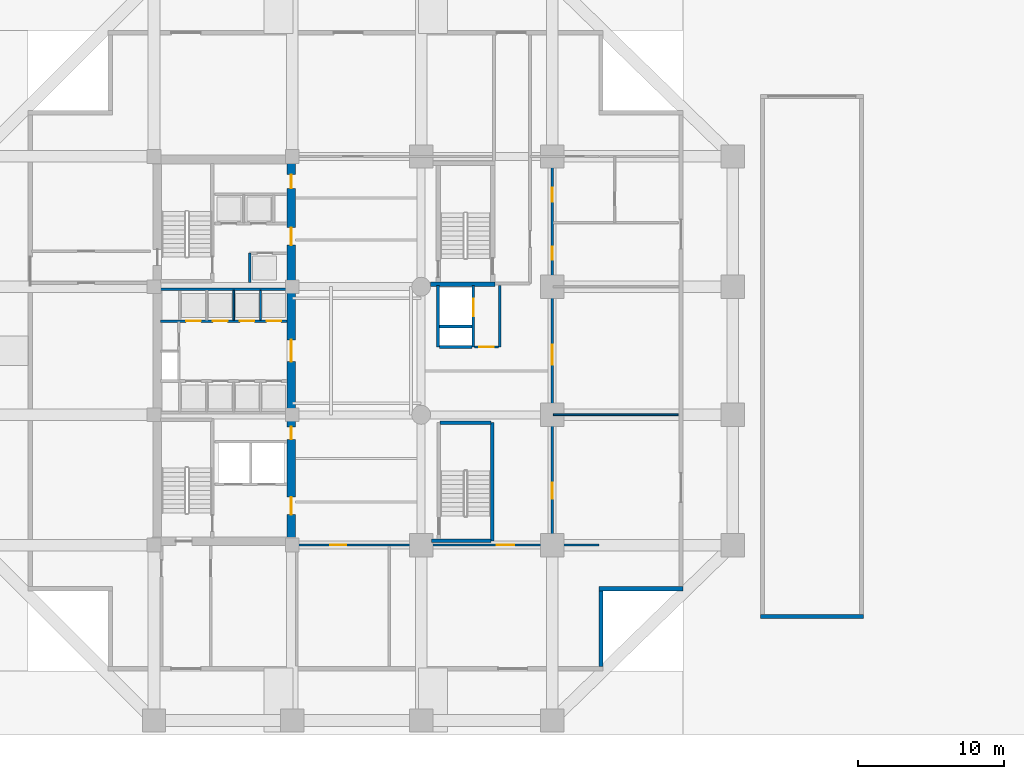
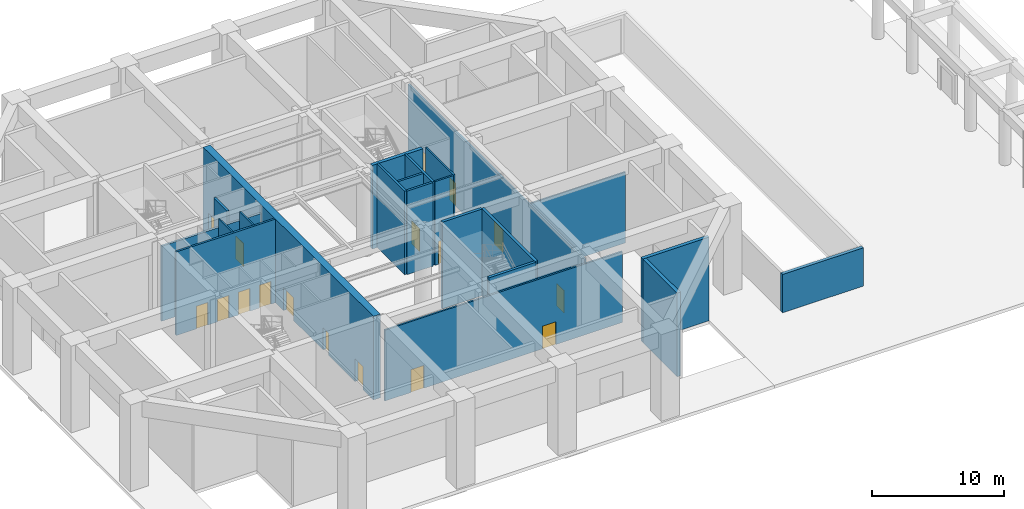
# One storey, part 4 of 10: 22 walls, 17 doors, 17 openings.
"""IFC4 building model written with IfcOpenShell, lengths in metres."""

from ifc_helpers import new_model, si_unit, direction, frame, frame_2d, origin, place, context, subcontext, project, spatial, rectangle, extrude, material, layer, layer_set, type_object, element, fill, save


model = new_model("IFC4")

# Units and contexts
model_context = context("Model", 3, precision=1e-05, world=origin(), true_north=direction((0.0, 1.0)))
body_context = subcontext(model_context, "Body", "Model", "MODEL_VIEW")
ifc_project = project(units=[si_unit("LENGTHUNIT", "METRE"), si_unit("AREAUNIT", "SQUARE_METRE"), si_unit("VOLUMEUNIT", "CUBIC_METRE"), si_unit("PLANEANGLEUNIT", "RADIAN"), si_unit("MASSUNIT", "GRAM", prefix="KILO")], contexts=[model_context])

# Site, building, storey
site_placement = place(None, origin())
site = spatial("IfcSite", under=ifc_project, at=site_placement, CompositionType="ELEMENT")
building_placement = place(site_placement, origin())
building = spatial("IfcBuilding", under=site, at=building_placement, Name="Kundavana Baori Tower", CompositionType="ELEMENT")
storey_placement = place(building_placement, origin())
storey = spatial("IfcBuildingStorey", under=building, at=storey_placement, Name="L00", CompositionType="ELEMENT", Elevation=0.0)

# Walls
ifc_material_1 = material(Name="Concrete C50/60", Category="concrete")
ifc_layer_1 = layer(ifc_material_1, 0.39990234375, Name="WL-CORE-400")
ifc_layer_set_1 = layer_set([ifc_layer_1], Name="Concrete C50/60")
wall_type_1 = type_object("IfcWallType", Name="WL-CORE-400", PredefinedType="SHEAR", material=ifc_layer_set_1)
wall_1_placement = place(storey_placement, frame((57.1201171875, 10.360107421875, 0.0), z_axis=(0.0, 0.0, 1.0), x_axis=(1.0, 0.0, 0.0)))
element("IfcWall", 1, at=wall_1_placement, inside=storey, type_object=wall_type_1, Name="L00 Car Park Ramp Headhouse South Wall", PredefinedType="SHEAR", context=body_context, shape_type="SweptSolid", body=[
    extrude(rectangle(XDim=7.059814453125, YDim=0.280029296875, at=frame_2d((3.52978515625, 0.0))), origin(), (0.0, 0.0, 1.0), 3.5400390625),
])
wall_2_placement = place(storey_placement, frame((38.68994140625, 15.5400390625, 0.0), z_axis=(0.0, 0.0, 1.0), x_axis=(0.0, 1.0, 0.0)))
element("IfcWall", 2, at=wall_2_placement, inside=storey, type_object=wall_type_1, Name="WL-L00-ST4-E", PredefinedType="SHEAR", context=body_context, shape_type="SweptSolid", body=[
    extrude(rectangle(XDim=8.119873046875, YDim=0.239990234375, at=frame_2d((4.06005859375, 0.0))), origin(), (0.0, 0.0, 1.0), 8.0),
])
wall_3_placement = place(storey_placement, frame((34.5, 15.5400390625, 0.0), z_axis=(0.0, 0.0, 1.0), x_axis=(1.0, 0.0, 0.0)))
element("IfcWall", 3, at=wall_3_placement, inside=storey, type_object=wall_type_1, Name="WL-L00-ST4-S", PredefinedType="SHEAR", context=body_context, shape_type="SweptSolid", body=[
    extrude(rectangle(XDim=4.10009765625, YDim=0.239990234375, at=frame_2d((2.050048828125, 0.0))), origin(), (0.0, 0.0, 1.0), 8.0),
])
wall_4_placement = place(storey_placement, frame((35.10009765625, 23.659912109375, 0.0), z_axis=(0.0, 0.0, 1.0), x_axis=(1.0, 0.0, 0.0)))
element("IfcWall", 4, at=wall_4_placement, inside=storey, type_object=wall_type_1, Name="WL-L00-ST4-N", PredefinedType="SHEAR", context=body_context, shape_type="SweptSolid", body=[
    extrude(rectangle(XDim=3.5, YDim=0.239990234375, at=frame_2d((1.75, 0.0))), origin(), (0.0, 0.0, 1.0), 8.0),
])

# Wall, openings, doors
ifc_material_2 = material(Name="Concrete C60/75", Category="concrete")
ifc_layer_2 = layer(ifc_material_2, 0.60009765625, Name="WL-CORE-600")
ifc_layer_set_2 = layer_set([ifc_layer_2], Name="Concrete C60/75")
wall_type_2 = type_object("IfcWallType", Name="WL-CORE-600", PredefinedType="SHEAR", material=ifc_layer_set_2)
wall_5_placement = place(storey_placement, frame((24.8798828125, 15.739990234375, 0.0), z_axis=(0.0, 0.0, 1.0), x_axis=(0.0, 1.0, 0.0)))
wall_5 = element("IfcWall", 5, at=wall_5_placement, inside=storey, type_object=wall_type_2, Name="L00 Offset Core East Shear Wall", PredefinedType="SHEAR", context=body_context, shape_type="SweptSolid", body=[
    extrude(rectangle(XDim=25.760009765625, YDim=0.60009765625, at=frame_2d((12.8798828125, 0.0))), origin(), (0.0, 0.0, 1.0), 7.719970703125),
])
opening_1_placement = place(wall_5_placement, frame((1.610107421875, 0.0, 0.0)))
opening_1 = element("IfcOpeningElement", 6, at=opening_1_placement, cuts=wall_5, Name="Opening FD-120", PredefinedType="OPENING", context=body_context, shape_type="SweptSolid", body=[
    extrude(rectangle(XDim=1.199951171875, YDim=2.10009765625, at=frame_2d((0.60009765625, 1.050048828125))), frame((0.0, 0.31005859375, 0.0), z_axis=(0.0, -1.0, 0.0), x_axis=(1.0, 0.0, 0.0)), (0.0, 0.0, 1.0), 0.6201171875),
])
opening_2_placement = place(wall_5_placement, frame((6.780029296875, 0.0, 0.0)))
opening_2 = element("IfcOpeningElement", 7, at=opening_2_placement, cuts=wall_5, Name="Opening FD-085", PredefinedType="OPENING", context=body_context, shape_type="SweptSolid", body=[
    extrude(rectangle(XDim=0.85009765625, YDim=2.06005859375, at=frame_2d((0.425048828125, 1.030029296875))), frame((0.0, 0.31005859375, 0.0), z_axis=(0.0, -1.0, 0.0), x_axis=(1.0, 0.0, 0.0)), (0.0, 0.0, 1.0), 0.6201171875),
])
opening_3_placement = place(wall_5_placement, frame((12.110107421875, 0.0, 0.0)))
opening_3 = element("IfcOpeningElement", 8, at=opening_3_placement, cuts=wall_5, Name="Opening FD-150", PredefinedType="OPENING", context=body_context, shape_type="SweptSolid", body=[
    extrude(rectangle(XDim=1.5, YDim=2.1201171875, at=frame_2d((0.75, 1.06005859375))), frame((0.0, 0.31005859375, 0.0), z_axis=(0.0, -1.0, 0.0), x_axis=(1.0, 0.0, 0.0)), (0.0, 0.0, 1.0), 0.6201171875),
])
opening_4_placement = place(wall_5_placement, frame((20.110107421875, 0.0, 0.0)))
opening_4 = element("IfcOpeningElement", 9, at=opening_4_placement, cuts=wall_5, Name="Opening FD-122", PredefinedType="OPENING", context=body_context, shape_type="SweptSolid", body=[
    extrude(rectangle(XDim=1.199951171875, YDim=2.1201171875, at=frame_2d((0.60009765625, 1.06005859375))), frame((0.0, 0.31005859375, 0.0), z_axis=(0.0, -1.0, 0.0), x_axis=(1.0, 0.0, 0.0)), (0.0, 0.0, 1.0), 0.6201171875),
])
opening_5_placement = place(wall_5_placement, frame((24.010009765625, 0.0, 0.0)))
opening_5 = element("IfcOpeningElement", 10, at=opening_5_placement, cuts=wall_5, Name="Opening FD-095", PredefinedType="OPENING", context=body_context, shape_type="SweptSolid", body=[
    extrude(rectangle(XDim=0.949951171875, YDim=2.10009765625, at=frame_2d((0.47509765625, 1.050048828125))), frame((0.0, 0.31005859375, 0.0), z_axis=(0.0, -1.0, 0.0), x_axis=(1.0, 0.0, 0.0)), (0.0, 0.0, 1.0), 0.6201171875),
])
ifc_material_3 = material(Name="Galvanised Steel Fire-Rated Door Leaf", Category="steel")
door_type_1 = type_object("IfcDoorType", Name="DR-FD120-1200", OperationType="NOTDEFINED", PredefinedType="DOOR", material=ifc_material_3)
door_1_placement = place(opening_1_placement, frame((1.199951171875, 0.0, 0.0), z_axis=(0.0, 0.0, 1.0), x_axis=(-1.0, 0.0, 0.0)))
door_1 = element("IfcDoor", 11, at=door_1_placement, inside=storey, type_object=door_type_1, Name="DR-L00-FFLOB-E", OperationType="SINGLE_SWING_RIGHT", OverallHeight=2.10009765625, OverallWidth=1.199951171875, PredefinedType="DOOR", context=body_context, shape_type="SweptSolid", body=[
    extrude(rectangle(XDim=1.199951171875, YDim=2.10009765625, at=frame_2d((0.60009765625, 1.050048828125))), frame((0.0, 0.02490234375, 0.0), z_axis=(0.0, -1.0, 0.0), x_axis=(1.0, 0.0, 0.0)), (0.0, 0.0, 1.0), 0.050048828125),
])
fill(opening_1, door_1)
ifc_material_4 = material(Name="Galvanised Steel Fire-Rated Door Leaf", Category="steel")
door_type_2 = type_object("IfcDoorType", Name="DR-FD60-1200", OperationType="NOTDEFINED", PredefinedType="DOOR", material=ifc_material_4)
door_2_placement = place(opening_4_placement, frame((1.199951171875, 0.0, 0.0), z_axis=(0.0, 0.0, 1.0), x_axis=(-1.0, 0.0, 0.0)))
door_2 = element("IfcDoor", 12, at=door_2_placement, inside=storey, type_object=door_type_2, Name="DR-L00-HRLOB-E", OperationType="SINGLE_SWING_RIGHT", OverallHeight=2.1201171875, OverallWidth=1.199951171875, PredefinedType="DOOR", context=body_context, shape_type="SweptSolid", body=[
    extrude(rectangle(XDim=1.199951171875, YDim=2.1201171875, at=frame_2d((0.60009765625, 1.06005859375))), frame((0.0, 0.02490234375, 0.0), z_axis=(0.0, -1.0, 0.0), x_axis=(1.0, 0.0, 0.0)), (0.0, 0.0, 1.0), 0.050048828125),
])
fill(opening_4, door_2)
ifc_material_5 = material(Name="Galvanised Steel Fire-Rated Door Leaf", Category="steel")
door_type_3 = type_object("IfcDoorType", Name="DR-FD60-1500", OperationType="NOTDEFINED", PredefinedType="DOOR", material=ifc_material_5)
door_3_placement = place(opening_3_placement, frame((1.5, 0.0, 0.0), z_axis=(0.0, 0.0, 1.0), x_axis=(-1.0, 0.0, 0.0)))
door_3 = element("IfcDoor", 13, at=door_3_placement, inside=storey, type_object=door_type_3, Name="DR-L00-LIFTHALL-E", OperationType="SINGLE_SWING_LEFT", OverallHeight=2.1201171875, OverallWidth=1.5, PredefinedType="DOOR", context=body_context, shape_type="SweptSolid", body=[
    extrude(rectangle(XDim=1.5, YDim=2.1201171875, at=frame_2d((0.75, 1.06005859375))), frame((0.0, 0.02490234375, 0.0), z_axis=(0.0, -1.0, 0.0), x_axis=(1.0, 0.0, 0.0)), (0.0, 0.0, 1.0), 0.050048828125),
])
fill(opening_3, door_3)
ifc_material_6 = material(Name="Galvanised Steel Fire-Rated Door Leaf", Category="steel")
door_type_4 = type_object("IfcDoorType", Name="DR-FD60-850", OperationType="NOTDEFINED", PredefinedType="DOOR", material=ifc_material_6)
door_4_placement = place(opening_2_placement, frame((0.85009765625, 0.0, 0.0), z_axis=(0.0, 0.0, 1.0), x_axis=(-1.0, 0.0, 0.0)))
door_4 = element("IfcDoor", 14, at=door_4_placement, inside=storey, type_object=door_type_4, Name="DR-L00-CSMK1", OperationType="SINGLE_SWING_LEFT", OverallHeight=2.06005859375, OverallWidth=0.85009765625, PredefinedType="DOOR", context=body_context, shape_type="SweptSolid", body=[
    extrude(rectangle(XDim=0.85009765625, YDim=2.06005859375, at=frame_2d((0.425048828125, 1.030029296875))), frame((0.0, 0.02490234375, 0.0), z_axis=(0.0, -1.0, 0.0), x_axis=(1.0, 0.0, 0.0)), (0.0, 0.0, 1.0), 0.050048828125),
])
fill(opening_2, door_4)
ifc_material_7 = material(Name="Engineered Teak Fire-Rated Timber Door Leaf", Category="wood")
door_type_5 = type_object("IfcDoorType", Name="DR-FD60-950", OperationType="NOTDEFINED", PredefinedType="DOOR", material=ifc_material_7)
door_5_placement = place(opening_5_placement, frame((0.949951171875, 0.0, 0.0), z_axis=(0.0, 0.0, 1.0), x_axis=(-1.0, 0.0, 0.0)))
door_5 = element("IfcDoor", 15, at=door_5_placement, inside=storey, type_object=door_type_5, Name="DR-L00-CSRV1", OperationType="SINGLE_SWING_LEFT", OverallHeight=2.10009765625, OverallWidth=0.949951171875, PredefinedType="DOOR", context=body_context, shape_type="SweptSolid", body=[
    extrude(rectangle(XDim=0.949951171875, YDim=2.10009765625, at=frame_2d((0.47509765625, 1.050048828125))), frame((0.0, 0.02490234375, 0.0), z_axis=(0.0, -1.0, 0.0), x_axis=(1.0, 0.0, 0.0)), (0.0, 0.0, 1.0), 0.050048828125),
])
fill(opening_5, door_5)

# Walls
ifc_material_8 = material(Name="Red-Buff Dholpur Sandstone Cladding on Concrete C40/50", Category="masonry")
ifc_layer_3 = layer(ifc_material_8, 0.300048828125, Name="WL-EXT-SAND-300")
ifc_layer_set_3 = layer_set([ifc_layer_3], Name="Red-Buff Dholpur Sandstone Cladding on Concrete C40/50")
wall_type_3 = type_object("IfcWallType", Name="WL-EXT-SAND-300", PredefinedType="STANDARD", material=ifc_layer_set_3)
wall_6_placement = place(storey_placement, frame((46.14990234375, 6.89990234375, 0.0), z_axis=(0.0, 0.0, 1.0), x_axis=(0.0, 1.0, 0.0)))
element("IfcWall", 16, at=wall_6_placement, inside=storey, type_object=wall_type_3, Name="L00 Exterior Insulated Facade Wall 02", PredefinedType="STANDARD", context=body_context, shape_type="SweptSolid", body=[
    extrude(rectangle(XDim=5.2001953125, YDim=0.300048828125, at=frame_2d((2.60009765625, 0.0))), origin(), (0.0, 0.0, 1.0), 7.719970703125),
])
wall_7_placement = place(storey_placement, frame((46.0, 12.25, 0.0), z_axis=(0.0, 0.0, 1.0), x_axis=(1.0, 0.0, 0.0)))
element("IfcWall", 17, at=wall_7_placement, inside=storey, type_object=wall_type_3, Name="L00 Exterior Insulated Facade Wall 03", PredefinedType="STANDARD", context=body_context, shape_type="SweptSolid", body=[
    extrude(rectangle(XDim=5.800048828125, YDim=0.300048828125, at=frame_2d((2.89990234375, 0.0))), origin(), (0.0, 0.0, 1.0), 7.719970703125),
])
ifc_material_9 = material(Name="Acoustic Gypsum Plasterboard on Galvanised Steel Studs", Category="steel")
ifc_layer_4 = layer(ifc_material_9, 0.1201171875, Name="WL-PART-120")
ifc_layer_set_4 = layer_set([ifc_layer_4], Name="Acoustic Gypsum Plasterboard on Galvanised Steel Studs")
wall_type_4 = type_object("IfcWallType", Name="WL-PART-120", PredefinedType="PARTITIONING", material=ifc_layer_set_4)
for number, where, z_axis, x_axis, name in (
    (18, (20.919921875, 30.699951171875, 0.0), (0.0, 0.0, 1.0), (0.0, 1.0, 0.0), "WL-L00-LPMID-D2"),
    (19, (22.760009765625, 30.699951171875, 0.0), (0.0, 0.0, 1.0), (0.0, 1.0, 0.0), "WL-L00-LPMID-D3"),
):
    element("IfcWall", number, at=place(storey_placement, frame(where, z_axis=z_axis, x_axis=x_axis)), inside=storey, type_object=wall_type_4, Name=name, PredefinedType="PARTITIONING", context=body_context, shape_type="SweptSolid", body=[
        extrude(rectangle(XDim=2.050048828125, YDim=0.1201171875, at=frame_2d((1.02490234375, 0.0))), origin(), (0.0, 0.0, 1.0), 7.719970703125),
    ])
wall_8_placement = place(storey_placement, frame((42.8798828125, 24.199951171875, 0.0), z_axis=(0.0, 0.0, 1.0), x_axis=(1.0, 0.0, 0.0)))
element("IfcWall", 20, at=wall_8_placement, inside=storey, type_object=wall_type_4, Name="WL-L00-EDIV1", PredefinedType="PARTITIONING", context=body_context, shape_type="SweptSolid", body=[
    extrude(rectangle(XDim=8.570068359375, YDim=0.1201171875, at=frame_2d((4.28515625, 0.0))), origin(), (0.0, 0.0, 1.0), 6.550048828125),
])
ifc_material_10 = material(Name="Fire-Rated Gypsum Drywall on Galvanised Steel Studs", Category="steel")
ifc_layer_5 = layer(ifc_material_10, 0.14990234375, Name="WL-PART-150")
ifc_layer_set_5 = layer_set([ifc_layer_5], Name="Fire-Rated Gypsum Drywall on Galvanised Steel Studs")
wall_type_5 = type_object("IfcWallType", Name="WL-PART-150", PredefinedType="PARTITIONING", material=ifc_layer_set_5)
wall_9_placement = place(storey_placement, frame((39.199951171875, 28.860107421875, 0.0), z_axis=(0.0, 0.0, 1.0), x_axis=(0.0, 1.0, 0.0)))
element("IfcWall", 21, at=wall_9_placement, inside=storey, type_object=wall_type_5, Name="WL-L00-SVLOB-E", PredefinedType="PARTITIONING", context=body_context, shape_type="SweptSolid", body=[
    extrude(rectangle(XDim=4.219970703125, YDim=0.14990234375, at=frame_2d((2.10986328125, 0.0))), origin(), (0.0, 0.0, 1.0), 7.719970703125),
])

# Wall, opening, door
wall_10_placement = place(storey_placement, frame((37.47998046875, 28.860107421875, 0.0), z_axis=(0.0, 0.0, 1.0), x_axis=(1.0, 0.0, 0.0)))
wall_10 = element("IfcWall", 22, at=wall_10_placement, inside=storey, type_object=wall_type_5, Name="WL-L00-SVLOB-S", PredefinedType="PARTITIONING", context=body_context, shape_type="SweptSolid", body=[
    extrude(rectangle(XDim=1.64013671875, YDim=0.14990234375, at=frame_2d((0.820068359375, 0.0))), origin(), (0.0, 0.0, 1.0), 7.719970703125),
])
opening_6_placement = place(wall_10_placement, frame((0.300048828125, 0.0, 0.0)))
opening_6 = element("IfcOpeningElement", 23, at=opening_6_placement, cuts=wall_10, Name="Opening FD-100", PredefinedType="OPENING", context=body_context, shape_type="SweptSolid", body=[
    extrude(rectangle(XDim=1.0, YDim=2.10009765625, at=frame_2d((0.5, 1.050048828125))), frame((0.0, 0.0849609375, 0.0), z_axis=(0.0, -1.0, 0.0), x_axis=(1.0, 0.0, 0.0)), (0.0, 0.0, 1.0), 0.169921875),
])
ifc_material_11 = material(Name="Engineered Teak Fire-Rated Timber Door Leaf", Category="wood")
door_type_6 = type_object("IfcDoorType", Name="DR-FD60-1000", OperationType="NOTDEFINED", PredefinedType="DOOR", material=ifc_material_11)
door_6_placement = place(opening_6_placement, origin())
door_6 = element("IfcDoor", 24, at=door_6_placement, inside=storey, type_object=door_type_6, Name="DR-L00-SVLOB-OUT", OperationType="SINGLE_SWING_LEFT", OverallHeight=2.10009765625, OverallWidth=1.0, PredefinedType="DOOR", context=body_context, shape_type="SweptSolid", body=[
    extrude(rectangle(XDim=1.0, YDim=2.10009765625, at=frame_2d((0.5, 1.050048828125))), frame((0.0, 0.02490234375, 0.0), z_axis=(0.0, -1.0, 0.0), x_axis=(1.0, 0.0, 0.0)), (0.0, 0.0, 1.0), 0.050048828125),
])
fill(opening_6, door_6)

# Wall, openings, doors
wall_11_placement = place(storey_placement, frame((25.25, 15.25, 0.0), z_axis=(0.0, 0.0, 1.0), x_axis=(1.0, 0.0, 0.0)))
wall_11 = element("IfcWall", 25, at=wall_11_placement, inside=storey, type_object=wall_type_5, Name="WL-L00-SLINE", PredefinedType="PARTITIONING", context=body_context, shape_type="SweptSolid", body=[
    extrude(rectangle(XDim=20.75, YDim=0.14990234375, at=frame_2d((10.375, 0.0))), origin(), (0.0, 0.0, 1.0), 6.550048828125),
])
opening_7_placement = place(wall_11_placement, frame((2.300048828125, 0.0, 0.0)))
opening_7 = element("IfcOpeningElement", 26, at=opening_7_placement, cuts=wall_11, Name="Opening FD-110", PredefinedType="OPENING", context=body_context, shape_type="SweptSolid", body=[
    extrude(rectangle(XDim=1.10009765625, YDim=2.10009765625, at=frame_2d((0.550048828125, 1.050048828125))), frame((0.0, 0.0849609375, 0.0), z_axis=(0.0, -1.0, 0.0), x_axis=(1.0, 0.0, 0.0)), (0.0, 0.0, 1.0), 0.169921875),
])
opening_8_placement = place(wall_11_placement, frame((13.75, 0.0, 0.0)))
opening_8 = element("IfcOpeningElement", 27, at=opening_8_placement, cuts=wall_11, Name="Opening ID-120", PredefinedType="OPENING", context=body_context, shape_type="SweptSolid", body=[
    extrude(rectangle(XDim=1.199951171875, YDim=2.10009765625, at=frame_2d((0.60009765625, 1.050048828125))), frame((0.0, 0.0849609375, 0.0), z_axis=(0.0, -1.0, 0.0), x_axis=(1.0, 0.0, 0.0)), (0.0, 0.0, 1.0), 0.169921875),
])
ifc_material_12 = material(Name="Galvanised Steel Fire-Rated Door Leaf", Category="steel")
door_type_7 = type_object("IfcDoorType", Name="DR-FD120-1100", OperationType="NOTDEFINED", PredefinedType="DOOR", material=ifc_material_12)
door_7_placement = place(opening_7_placement, frame((1.10009765625, 0.0, 0.0), z_axis=(0.0, 0.0, 1.0), x_axis=(-1.0, 0.0, 0.0)))
door_7 = element("IfcDoor", 28, at=door_7_placement, inside=storey, type_object=door_type_7, Name="DR-L00-FCC", OperationType="SINGLE_SWING_LEFT", OverallHeight=2.10009765625, OverallWidth=1.10009765625, PredefinedType="DOOR", context=body_context, shape_type="SweptSolid", body=[
    extrude(rectangle(XDim=1.10009765625, YDim=2.10009765625, at=frame_2d((0.550048828125, 1.050048828125))), frame((0.0, 0.02490234375, 0.0), z_axis=(0.0, -1.0, 0.0), x_axis=(1.0, 0.0, 0.0)), (0.0, 0.0, 1.0), 0.050048828125),
])
fill(opening_7, door_7)
ifc_material_13 = material(Name="Engineered Teak Solid-Core Timber Veneer", Category="wood")
door_type_8 = type_object("IfcDoorType", Name="DR-INT-1200", OperationType="NOTDEFINED", PredefinedType="DOOR", material=ifc_material_13)
door_8_placement = place(opening_8_placement, frame((1.199951171875, 0.0, 0.0), z_axis=(0.0, 0.0, 1.0), x_axis=(-1.0, 0.0, 0.0)))
door_8 = element("IfcDoor", 29, at=door_8_placement, inside=storey, type_object=door_type_8, Name="DR-L00-RETS1", OperationType="SINGLE_SWING_RIGHT", OverallHeight=2.10009765625, OverallWidth=1.199951171875, PredefinedType="DOOR", context=body_context, shape_type="SweptSolid", body=[
    extrude(rectangle(XDim=1.199951171875, YDim=2.10009765625, at=frame_2d((0.60009765625, 1.050048828125))), frame((0.0, 0.02490234375, 0.0), z_axis=(0.0, -1.0, 0.0), x_axis=(1.0, 0.0, 0.0)), (0.0, 0.0, 1.0), 0.050048828125),
])
fill(opening_8, door_8)

wall_12_placement = place(storey_placement, frame((42.800048828125, 15.25, 0.0), z_axis=(0.0, 0.0, 1.0), x_axis=(0.0, 1.0, 0.0)))
wall_12 = element("IfcWall", 30, at=wall_12_placement, inside=storey, type_object=wall_type_5, Name="WL-L00-ECORR", PredefinedType="PARTITIONING", context=body_context, shape_type="SweptSolid", body=[
    extrude(rectangle(XDim=26.699951171875, YDim=0.14990234375, at=frame_2d((13.35009765625, 0.0))), origin(), (0.0, 0.0, 1.0), 6.919921875),
])
opening_9_placement = place(wall_12_placement, frame((3.199951171875, 0.0, 0.0)))
opening_9 = element("IfcOpeningElement", 31, at=opening_9_placement, cuts=wall_12, Name="Opening ID-110", PredefinedType="OPENING", context=body_context, shape_type="SweptSolid", body=[
    extrude(rectangle(XDim=1.10009765625, YDim=2.080078125, at=frame_2d((0.550048828125, 1.0400390625))), frame((0.0, 0.0849609375, 0.0), z_axis=(0.0, -1.0, 0.0), x_axis=(1.0, 0.0, 0.0)), (0.0, 0.0, 1.0), 0.169921875),
])
opening_10_placement = place(wall_12_placement, frame((12.39990234375, 0.0, 0.0)))
opening_10 = element("IfcOpeningElement", 32, at=opening_10_placement, cuts=wall_12, Name="Opening ID-135", PredefinedType="OPENING", context=body_context, shape_type="SweptSolid", body=[
    extrude(rectangle(XDim=1.35009765625, YDim=2.10009765625, at=frame_2d((0.675048828125, 1.050048828125))), frame((0.0, 0.0849609375, 0.0), z_axis=(0.0, -1.0, 0.0), x_axis=(1.0, 0.0, 0.0)), (0.0, 0.0, 1.0), 0.169921875),
])
opening_11_placement = place(wall_12_placement, frame((19.60009765625, 0.0, 0.0)))
opening_11 = element("IfcOpeningElement", 33, at=opening_11_placement, cuts=wall_12, Name="Opening WD-090", PredefinedType="OPENING", context=body_context, shape_type="SweptSolid", body=[
    extrude(rectangle(XDim=0.89990234375, YDim=2.050048828125, at=frame_2d((0.449951171875, 1.02490234375))), frame((0.0, 0.0849609375, 0.0), z_axis=(0.0, -1.0, 0.0), x_axis=(1.0, 0.0, 0.0)), (0.0, 0.0, 1.0), 0.169921875),
])
opening_12_placement = place(wall_12_placement, frame((23.60009765625, 0.0, 0.0)))
opening_12 = element("IfcOpeningElement", 34, at=opening_12_placement, cuts=wall_12, Name="Opening WD-095", PredefinedType="OPENING", context=body_context, shape_type="SweptSolid", body=[
    extrude(rectangle(XDim=0.949951171875, YDim=2.050048828125, at=frame_2d((0.47509765625, 1.02490234375))), frame((0.0, 0.0849609375, 0.0), z_axis=(0.0, -1.0, 0.0), x_axis=(1.0, 0.0, 0.0)), (0.0, 0.0, 1.0), 0.169921875),
])
ifc_material_14 = material(Name="Engineered Teak Solid-Core Timber Veneer", Category="wood")
door_type_9 = type_object("IfcDoorType", Name="DR-INT-1100", OperationType="NOTDEFINED", PredefinedType="DOOR", material=ifc_material_14)
door_9_placement = place(opening_9_placement, origin())
door_9 = element("IfcDoor", 35, at=door_9_placement, inside=storey, type_object=door_type_9, Name="DR-L00-RETE1", OperationType="SINGLE_SWING_LEFT", OverallHeight=2.080078125, OverallWidth=1.10009765625, PredefinedType="DOOR", context=body_context, shape_type="SweptSolid", body=[
    extrude(rectangle(XDim=1.10009765625, YDim=2.080078125, at=frame_2d((0.550048828125, 1.0400390625))), frame((0.0, 0.02490234375, 0.0), z_axis=(0.0, -1.0, 0.0), x_axis=(1.0, 0.0, 0.0)), (0.0, 0.0, 1.0), 0.050048828125),
])
fill(opening_9, door_9)
ifc_material_15 = material(Name="Engineered Teak Solid-Core Timber Veneer", Category="wood")
door_type_10 = type_object("IfcDoorType", Name="DR-INT-1350", OperationType="NOTDEFINED", PredefinedType="DOOR", material=ifc_material_15)
door_10_placement = place(opening_10_placement, origin())
door_10 = element("IfcDoor", 36, at=door_10_placement, inside=storey, type_object=door_type_10, Name="DR-L00-RECEP", OperationType="SINGLE_SWING_RIGHT", OverallHeight=2.10009765625, OverallWidth=1.35009765625, PredefinedType="DOOR", context=body_context, shape_type="SweptSolid", body=[
    extrude(rectangle(XDim=1.35009765625, YDim=2.10009765625, at=frame_2d((0.675048828125, 1.050048828125))), frame((0.0, 0.02490234375, 0.0), z_axis=(0.0, -1.0, 0.0), x_axis=(1.0, 0.0, 0.0)), (0.0, 0.0, 1.0), 0.050048828125),
])
fill(opening_10, door_10)
ifc_material_16 = material(Name="Engineered Teak Solid-Core Timber Veneer", Category="wood")
door_type_11 = type_object("IfcDoorType", Name="DR-WET-900", OperationType="NOTDEFINED", PredefinedType="DOOR", material=ifc_material_16)
door_11_placement = place(opening_11_placement, origin())
door_11 = element("IfcDoor", 37, at=door_11_placement, inside=storey, type_object=door_type_11, Name="DR-L00-WCPUB", OperationType="SINGLE_SWING_LEFT", OverallHeight=2.050048828125, OverallWidth=0.89990234375, PredefinedType="DOOR", context=body_context, shape_type="SweptSolid", body=[
    extrude(rectangle(XDim=0.89990234375, YDim=2.050048828125, at=frame_2d((0.449951171875, 1.02490234375))), frame((0.0, 0.02490234375, 0.0), z_axis=(0.0, -1.0, 0.0), x_axis=(1.0, 0.0, 0.0)), (0.0, 0.0, 1.0), 0.050048828125),
])
fill(opening_11, door_11)
ifc_material_17 = material(Name="Engineered Teak Solid-Core Timber Veneer", Category="wood")
door_type_12 = type_object("IfcDoorType", Name="DR-WET-950", OperationType="NOTDEFINED", PredefinedType="DOOR", material=ifc_material_17)
door_12_placement = place(opening_12_placement, origin())
door_12 = element("IfcDoor", 38, at=door_12_placement, inside=storey, type_object=door_type_12, Name="DR-L00-WCACC", OperationType="SINGLE_SWING_RIGHT", OverallHeight=2.050048828125, OverallWidth=0.949951171875, PredefinedType="DOOR", context=body_context, shape_type="SweptSolid", body=[
    extrude(rectangle(XDim=0.949951171875, YDim=2.050048828125, at=frame_2d((0.47509765625, 1.02490234375))), frame((0.0, 0.02490234375, 0.0), z_axis=(0.0, -1.0, 0.0), x_axis=(1.0, 0.0, 0.0)), (0.0, 0.0, 1.0), 0.050048828125),
])
fill(opening_12, door_12)

ifc_material_18 = material(Name="Autoclaved Aerated Concrete Blockwork Masonry", Category="masonry")
ifc_layer_6 = layer(ifc_material_18, 0.179931640625, Name="WL-SHAFT-180")
ifc_layer_set_6 = layer_set([ifc_layer_6], Name="Autoclaved Aerated Concrete Blockwork Masonry")
wall_type_6 = type_object("IfcWallType", Name="WL-SHAFT-180", PredefinedType="SOLIDWALL", material=ifc_layer_set_6)
wall_13_placement = place(storey_placement, frame((15.89990234375, 30.639892578125, 0.0), z_axis=(0.0, 0.0, 1.0), x_axis=(1.0, 0.0, 0.0)))
wall_13 = element("IfcWall", 39, at=wall_13_placement, inside=storey, type_object=wall_type_6, Name="WL-L00-LPMID-S", PredefinedType="SOLIDWALL", context=body_context, shape_type="SweptSolid", body=[
    extrude(rectangle(XDim=8.68017578125, YDim=0.179931640625, at=frame_2d((4.340087890625, 0.0))), origin(), (0.0, 0.0, 1.0), 7.719970703125),
])
opening_13_placement = place(wall_13_placement, frame((1.760009765625, 0.0, 0.0)))
opening_13 = element("IfcOpeningElement", 40, at=opening_13_placement, cuts=wall_13, Name="Opening LD-100", PredefinedType="OPENING", context=body_context, shape_type="SweptSolid", body=[
    extrude(rectangle(XDim=1.0, YDim=2.10009765625, at=frame_2d((0.5, 1.050048828125))), frame((0.0, 0.10009765625, 0.0), z_axis=(0.0, -1.0, 0.0), x_axis=(1.0, 0.0, 0.0)), (0.0, 0.0, 1.0), 0.199951171875),
])
opening_14_placement = place(wall_13_placement, frame((3.60009765625, 0.0, 0.0)))
opening_14 = element("IfcOpeningElement", 41, at=opening_14_placement, cuts=wall_13, Name="Opening LD-100", PredefinedType="OPENING", context=body_context, shape_type="SweptSolid", body=[
    extrude(rectangle(XDim=1.0, YDim=2.10009765625, at=frame_2d((0.5, 1.050048828125))), frame((0.0, 0.10009765625, 0.0), z_axis=(0.0, -1.0, 0.0), x_axis=(1.0, 0.0, 0.0)), (0.0, 0.0, 1.0), 0.199951171875),
])
opening_15_placement = place(wall_13_placement, frame((5.43994140625, 0.0, 0.0)))
opening_15 = element("IfcOpeningElement", 42, at=opening_15_placement, cuts=wall_13, Name="Opening LD-100", PredefinedType="OPENING", context=body_context, shape_type="SweptSolid", body=[
    extrude(rectangle(XDim=1.0, YDim=2.10009765625, at=frame_2d((0.5, 1.050048828125))), frame((0.0, 0.10009765625, 0.0), z_axis=(0.0, -1.0, 0.0), x_axis=(1.0, 0.0, 0.0)), (0.0, 0.0, 1.0), 0.199951171875),
])
opening_16_placement = place(wall_13_placement, frame((7.280029296875, 0.0, 0.0)))
opening_16 = element("IfcOpeningElement", 43, at=opening_16_placement, cuts=wall_13, Name="Opening LD-100", PredefinedType="OPENING", context=body_context, shape_type="SweptSolid", body=[
    extrude(rectangle(XDim=1.0, YDim=2.10009765625, at=frame_2d((0.5, 1.050048828125))), frame((0.0, 0.10009765625, 0.0), z_axis=(0.0, -1.0, 0.0), x_axis=(1.0, 0.0, 0.0)), (0.0, 0.0, 1.0), 0.199951171875),
])
ifc_material_19 = material(Name="Galvanised Steel Fire-Rated Door Leaf", Category="steel")
door_type_13 = type_object("IfcDoorType", Name="DR-SLIDE-LD1000", OperationType="NOTDEFINED", PredefinedType="DOOR", material=ifc_material_19)
door_13_placement = place(opening_13_placement, frame((1.0, 0.0, 0.0), z_axis=(0.0, 0.0, 1.0), x_axis=(-1.0, 0.0, 0.0)))
door_13 = element("IfcDoor", 44, at=door_13_placement, inside=storey, type_object=door_type_13, Name="DR-L00-LD-LP-05", OperationType="DOUBLE_DOOR_SLIDING", OverallHeight=2.10009765625, OverallWidth=1.0, PredefinedType="DOOR", context=body_context, shape_type="SweptSolid", body=[
    extrude(rectangle(XDim=1.0, YDim=2.10009765625, at=frame_2d((0.5, 1.050048828125))), frame((0.0, 0.02490234375, 0.0), z_axis=(0.0, -1.0, 0.0), x_axis=(1.0, 0.0, 0.0)), (0.0, 0.0, 1.0), 0.050048828125),
])
fill(opening_13, door_13)
door_14_placement = place(opening_14_placement, frame((1.0, 0.0, 0.0), z_axis=(0.0, 0.0, 1.0), x_axis=(-1.0, 0.0, 0.0)))
door_14 = element("IfcDoor", 45, at=door_14_placement, inside=storey, type_object=door_type_13, Name="DR-L00-LD-LP-06", OperationType="DOUBLE_DOOR_SLIDING", OverallHeight=2.10009765625, OverallWidth=1.0, PredefinedType="DOOR", context=body_context, shape_type="SweptSolid", body=[
    extrude(rectangle(XDim=1.0, YDim=2.10009765625, at=frame_2d((0.5, 1.050048828125))), frame((0.0, 0.02490234375, 0.0), z_axis=(0.0, -1.0, 0.0), x_axis=(1.0, 0.0, 0.0)), (0.0, 0.0, 1.0), 0.050048828125),
])
fill(opening_14, door_14)
door_15_placement = place(opening_15_placement, frame((1.0, 0.0, 0.0), z_axis=(0.0, 0.0, 1.0), x_axis=(-1.0, 0.0, 0.0)))
door_15 = element("IfcDoor", 46, at=door_15_placement, inside=storey, type_object=door_type_13, Name="DR-L00-LD-LP-07", OperationType="DOUBLE_DOOR_SLIDING", OverallHeight=2.10009765625, OverallWidth=1.0, PredefinedType="DOOR", context=body_context, shape_type="SweptSolid", body=[
    extrude(rectangle(XDim=1.0, YDim=2.10009765625, at=frame_2d((0.5, 1.050048828125))), frame((0.0, 0.02490234375, 0.0), z_axis=(0.0, -1.0, 0.0), x_axis=(1.0, 0.0, 0.0)), (0.0, 0.0, 1.0), 0.050048828125),
])
fill(opening_15, door_15)
door_16_placement = place(opening_16_placement, frame((1.0, 0.0, 0.0), z_axis=(0.0, 0.0, 1.0), x_axis=(-1.0, 0.0, 0.0)))
door_16 = element("IfcDoor", 47, at=door_16_placement, inside=storey, type_object=door_type_13, Name="DR-L00-LD-LP-08", OperationType="DOUBLE_DOOR_SLIDING", OverallHeight=2.10009765625, OverallWidth=1.0, PredefinedType="DOOR", context=body_context, shape_type="SweptSolid", body=[
    extrude(rectangle(XDim=1.0, YDim=2.10009765625, at=frame_2d((0.5, 1.050048828125))), frame((0.0, 0.02490234375, 0.0), z_axis=(0.0, -1.0, 0.0), x_axis=(1.0, 0.0, 0.0)), (0.0, 0.0, 1.0), 0.050048828125),
])
fill(opening_16, door_16)

# Walls
wall_14_placement = place(storey_placement, frame((15.89990234375, 32.820068359375, 0.0), z_axis=(0.0, 0.0, 1.0), x_axis=(1.0, 0.0, 0.0)))
element("IfcWall", 48, at=wall_14_placement, inside=storey, type_object=wall_type_6, Name="WL-L00-LPMID-N", PredefinedType="SOLIDWALL", context=body_context, shape_type="SweptSolid", body=[
    extrude(rectangle(XDim=8.68017578125, YDim=0.179931640625, at=frame_2d((4.340087890625, 0.0))), origin(), (0.0, 0.0, 1.0), 6.919921875),
])
wall_15_placement = place(storey_placement, frame((22.02001953125, 33.300048828125, 0.0), z_axis=(0.0, 0.0, 1.0), x_axis=(0.0, 1.0, 0.0)))
element("IfcWall", 49, at=wall_15_placement, inside=storey, type_object=wall_type_6, Name="WL-L00-LP11-W", PredefinedType="SOLIDWALL", context=body_context, shape_type="SweptSolid", body=[
    extrude(rectangle(XDim=2.010009765625, YDim=0.179931640625, at=frame_2d((1.0048828125, 0.0))), origin(), (0.0, 0.0, 1.0), 7.719970703125),
])
wall_16_placement = place(storey_placement, frame((34.9599609375, 28.860107421875, 0.0), z_axis=(0.0, 0.0, 1.0), x_axis=(0.0, 1.0, 0.0)))
element("IfcWall", 50, at=wall_16_placement, inside=storey, type_object=wall_type_6, Name="WL-L00-SVL-W", PredefinedType="SOLIDWALL", context=body_context, shape_type="SweptSolid", body=[
    extrude(rectangle(XDim=4.219970703125, YDim=0.179931640625, at=frame_2d((2.10986328125, 0.0))), origin(), (0.0, 0.0, 1.0), 7.719970703125),
])

# Wall, opening, door
wall_17_placement = place(storey_placement, frame((37.389892578125, 28.860107421875, 0.0), z_axis=(0.0, 0.0, 1.0), x_axis=(0.0, 1.0, 0.0)))
wall_17 = element("IfcWall", 51, at=wall_17_placement, inside=storey, type_object=wall_type_6, Name="WL-L00-SVL-E", PredefinedType="SOLIDWALL", context=body_context, shape_type="SweptSolid", body=[
    extrude(rectangle(XDim=4.219970703125, YDim=0.179931640625, at=frame_2d((2.10986328125, 0.0))), origin(), (0.0, 0.0, 1.0), 7.719970703125),
])
opening_17_placement = place(wall_17_placement, frame((2.10009765625, 0.0, 0.0)))
opening_17 = element("IfcOpeningElement", 52, at=opening_17_placement, cuts=wall_17, Name="Opening LD-120", PredefinedType="OPENING", context=body_context, shape_type="SweptSolid", body=[
    extrude(rectangle(XDim=1.199951171875, YDim=2.1201171875, at=frame_2d((0.60009765625, 1.06005859375))), frame((0.0, 0.10009765625, 0.0), z_axis=(0.0, -1.0, 0.0), x_axis=(1.0, 0.0, 0.0)), (0.0, 0.0, 1.0), 0.199951171875),
])
ifc_material_20 = material(Name="Galvanised Steel Fire-Rated Door Leaf", Category="steel")
door_type_14 = type_object("IfcDoorType", Name="DR-SLIDE-LD1200", OperationType="NOTDEFINED", PredefinedType="DOOR", material=ifc_material_20)
door_17_placement = place(opening_17_placement, frame((1.199951171875, 0.0, 0.0), z_axis=(0.0, 0.0, 1.0), x_axis=(-1.0, 0.0, 0.0)))
door_17 = element("IfcDoor", 53, at=door_17_placement, inside=storey, type_object=door_type_14, Name="DR-L00-LD-SVL1", OperationType="DOUBLE_DOOR_SLIDING", OverallHeight=2.1201171875, OverallWidth=1.199951171875, PredefinedType="DOOR", context=body_context, shape_type="SweptSolid", body=[
    extrude(rectangle(XDim=1.199951171875, YDim=2.1201171875, at=frame_2d((0.60009765625, 1.06005859375))), frame((0.0, 0.02490234375, 0.0), z_axis=(0.0, -1.0, 0.0), x_axis=(1.0, 0.0, 0.0)), (0.0, 0.0, 1.0), 0.050048828125),
])
fill(opening_17, door_17)

# Walls
for number, where, z_axis, x_axis, name in (
    (54, (35.050048828125, 28.860107421875, 0.0), (0.0, 0.0, 1.0), (1.0, 0.0, 0.0), "WL-L00-SVL-S"),
    (55, (35.050048828125, 30.27001953125, 0.0), (0.0, 0.0, 1.0), (1.0, 0.0, 0.0), "WL-L00-SVL-M"),
):
    element("IfcWall", number, at=place(storey_placement, frame(where, z_axis=z_axis, x_axis=x_axis)), inside=storey, type_object=wall_type_6, Name=name, PredefinedType="SOLIDWALL", context=body_context, shape_type="SweptSolid", body=[
        extrude(rectangle(XDim=2.25, YDim=0.179931640625, at=frame_2d((1.125, 0.0))), origin(), (0.0, 0.0, 1.0), 7.719970703125),
    ])
ifc_material_21 = material(Name="Concrete C50/60", Category="concrete")
ifc_layer_7 = layer(ifc_material_21, 0.300048828125, Name="WL-ST3-300")
ifc_layer_set_7 = layer_set([ifc_layer_7], Name="Concrete C50/60")
wall_type_7 = type_object("IfcWallType", Name="WL-ST3-300", PredefinedType="SHEAR", material=ifc_layer_set_7)
wall_18_placement = place(storey_placement, frame((34.449951171875, 33.159912109375, 0.0), z_axis=(0.0, 0.0, 1.0), x_axis=(1.0, 0.0, 0.0)))
element("IfcWall", 56, at=wall_18_placement, inside=storey, type_object=wall_type_7, Name="L00 Stair ST3 South Shear Wall", PredefinedType="SHEAR", context=body_context, shape_type="SweptSolid", body=[
    extrude(rectangle(XDim=4.420166015625, YDim=0.300048828125, at=frame_2d((2.2099609375, 0.0))), origin(), (0.0, 0.0, 1.0), 7.719970703125),
])

save(model, "model.ifc")
